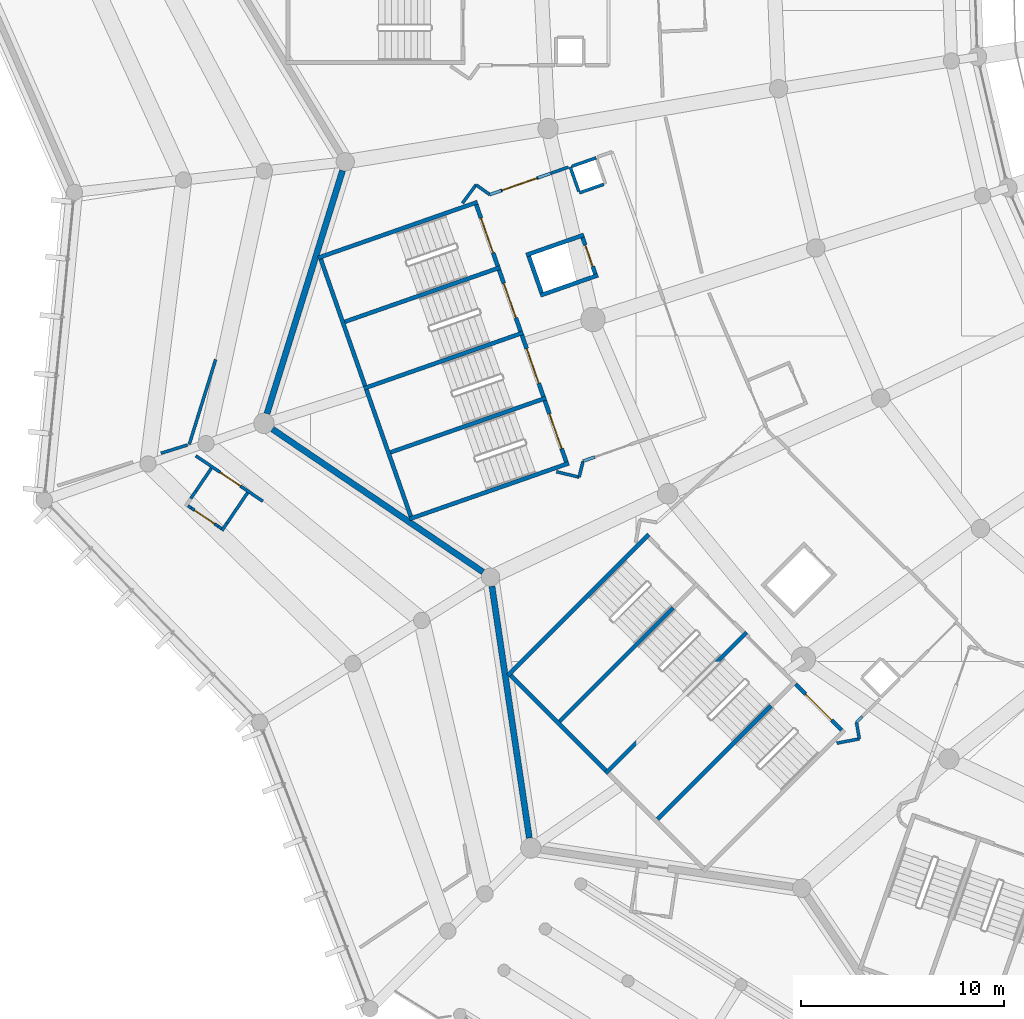
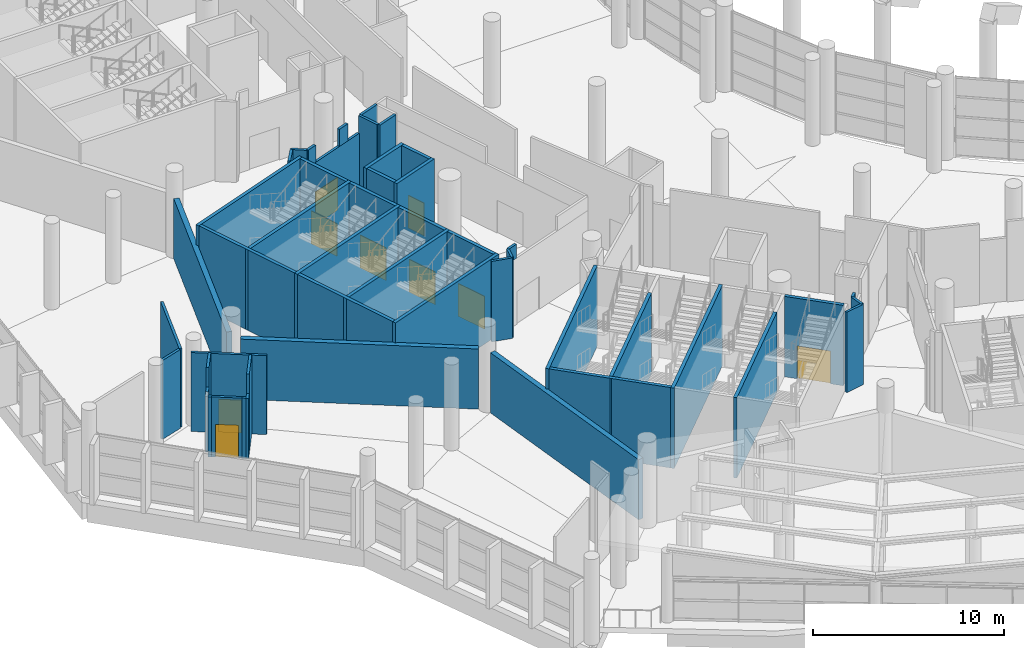
# One storey, part 159 of 271: 48 walls, 9 doors, 9 openings.
"""IFC4 building model written with IfcOpenShell, lengths in metres."""

from ifc_helpers import new_model, si_unit, direction, frame, frame_2d, origin, place, context, subcontext, project, spatial, rectangle, extrude, material, layer, layer_set, type_object, element, fill, save


model = new_model("IFC4")

# Units and contexts
model_context = context("Model", 3, precision=1e-05, world=origin(), true_north=direction((0.0, 1.0)))
body_context = subcontext(model_context, "Body", "Model", "MODEL_VIEW")
ifc_project = project(units=[si_unit("LENGTHUNIT", "METRE"), si_unit("AREAUNIT", "SQUARE_METRE"), si_unit("VOLUMEUNIT", "CUBIC_METRE"), si_unit("PLANEANGLEUNIT", "RADIAN"), si_unit("MASSUNIT", "GRAM", prefix="KILO")], contexts=[model_context])

# Site, building, storey
site_placement = place(None, origin())
site = spatial("IfcSite", under=ifc_project, at=site_placement, CompositionType="ELEMENT")
building_placement = place(site_placement, origin())
building = spatial("IfcBuilding", under=site, at=building_placement, Name="Meseta Stadium", CompositionType="ELEMENT")
storey_placement = place(building_placement, frame((0.0, 0.0, 6.5)))
storey = spatial("IfcBuildingStorey", under=building, at=storey_placement, Name="L01", CompositionType="ELEMENT", Elevation=6.5)

# Walls
ifc_material_1 = material(Name="Concrete C40/50", Category="concrete")
ifc_layer_1 = layer(ifc_material_1, 0.199951171875)
ifc_layer_set_1 = layer_set([ifc_layer_1], Name="Core divider wall 200")
wall_type_1 = type_object("IfcWallType", Name="Core divider wall 200", PredefinedType="SHEAR", material=ifc_layer_set_1)
for number, where, z_axis, x_axis, name in (
    (1, (-94.505859375, -63.370849609375, 0.0), (0.0, 0.0, 1.0), (0.943878073457, 0.330294084791, 0.0), "Core 20 L01 stair A divider wall"),
    (2, (-92.260009765625, -69.789306640625, 0.0), (0.0, 0.0, 1.0), (0.943878073457, 0.330294084791, 0.0), "Core 20 L01 stair B divider wall"),
):
    element("IfcWall", number, at=place(storey_placement, frame(where, z_axis=z_axis, x_axis=x_axis)), inside=storey, type_object=wall_type_1, Name=name, PredefinedType="SHEAR", context=body_context, shape_type="SweptSolid", body=[
        extrude(rectangle(XDim=8.300048828125, YDim=0.199951171875, at=frame_2d((4.14990234375, 0.0))), origin(), (0.0, 0.0, 1.0), 5.14990234375),
    ])
for number, where, z_axis, x_axis, name in (
    (3, (-83.90087890625, -83.092529296875, 0.0), (0.0, 0.0, 1.0), (0.707106781187, 0.707106781187, 0.0), "Core 21 L01 stair A divider wall"),
    (4, (-79.092529296875, -87.90087890625, 0.0), (0.0, 0.0, 1.0), (0.707106781187, 0.707106781187, 0.0), "Core 21 L01 stair B divider wall"),
):
    element("IfcWall", number, at=place(storey_placement, frame(where, z_axis=z_axis, x_axis=x_axis)), inside=storey, type_object=wall_type_1, Name=name, PredefinedType="SHEAR", context=body_context, shape_type="SweptSolid", body=[
        extrude(rectangle(XDim=8.099853515625, YDim=0.199951171875, at=frame_2d((4.0498046875, 0.0))), origin(), (0.0, 0.0, 1.0), 5.14990234375),
    ])
ifc_material_2 = material(Name="Concrete C40/50", Category="concrete")
ifc_layer_2 = layer(ifc_material_2, 0.199951171875)
ifc_layer_set_2 = layer_set([ifc_layer_2], Name="Core shaft wall 200")
wall_type_2 = type_object("IfcWallType", Name="Core shaft wall 200", PredefinedType="SHEAR", material=ifc_layer_set_2)
for number, where, z_axis, x_axis, name in (
    (5, (-95.62890625, -60.16162109375, 0.0), (0.0, 0.0, 1.0), (0.943887243331, 0.330267878966, 0.0), "Core 20 L01 stair wall A-side"),
    (6, (-93.3828125, -66.580078125, 0.0), (0.0, 0.0, 1.0), (0.943878073457, 0.330294084791, 0.0), "Core 20 L01 stair wall shared"),
    (7, (-91.136962890625, -72.998291015625, 0.0), (0.0, 0.0, 1.0), (0.943887243331, 0.330267878966, 0.0), "Core 20 L01 stair wall B-side"),
):
    element("IfcWall", number, at=place(storey_placement, frame(where, z_axis=z_axis, x_axis=x_axis)), inside=storey, type_object=wall_type_2, Name=name, PredefinedType="SHEAR", context=body_context, shape_type="SweptSolid", body=[
        extrude(rectangle(XDim=8.300048828125, YDim=0.199951171875, at=frame_2d((4.14990234375, 0.0))), origin(), (0.0, 0.0, 1.0), 5.14990234375),
    ])
for number, where, z_axis, x_axis, name in (
    (8, (-95.50146484375, -60.222900390625, 0.0), (0.0, 0.0, 1.0), (0.330286164688, -0.943880844925, 0.0), "Core 20 L01 stair A outer end wall"),
    (9, (-93.255615234375, -66.641357421875, 0.0), (0.0, 0.0, 1.0), (0.330286164688, -0.943880844925, 0.0), "Core 20 L01 stair B outer end wall"),
):
    element("IfcWall", number, at=place(storey_placement, frame(where, z_axis=z_axis, x_axis=x_axis)), inside=storey, type_object=wall_type_2, Name=name, PredefinedType="SHEAR", context=body_context, shape_type="SweptSolid", body=[
        extrude(rectangle(XDim=6.60009765625, YDim=0.199951171875, at=frame_2d((3.300048828125, 0.0))), origin(), (0.0, 0.0, 1.0), 5.14990234375),
    ])

# Wall, opening, door
wall_1_placement = place(storey_placement, frame((-87.85595703125, -57.547607421875, 0.0), z_axis=(0.0, 0.0, 1.0), x_axis=(0.330268863922, -0.943886898693, 0.0)))
wall_1 = element("IfcWall", 10, at=wall_1_placement, inside=storey, type_object=wall_type_2, Name="Core 20 L01 stair A1 inner end wall", PredefinedType="SHEAR", context=body_context, shape_type="SweptSolid", body=[
    extrude(rectangle(XDim=3.2001953125, YDim=0.199951171875, at=frame_2d((1.60009765625, 0.0))), origin(), (0.0, 0.0, 1.0), 5.14990234375),
])
opening_1_placement = place(wall_1_placement, frame((0.699951171875, 0.0, 0.0)))
opening_1 = element("IfcOpeningElement", 11, at=opening_1_placement, cuts=wall_1, Name="Opening D277", PredefinedType="OPENING", context=body_context, shape_type="SweptSolid", body=[
    extrude(rectangle(XDim=1.800048828125, YDim=2.10009765625, at=frame_2d((0.89990234375, 1.050048828125))), frame((0.0, 0.10986328125, 0.0), z_axis=(0.0, -1.0, 0.0), x_axis=(1.0, 0.0, 0.0)), (0.0, 0.0, 1.0), 0.219970703125),
])
ifc_material_3 = material(Name="Steel", Category="steel")
door_type_1 = type_object("IfcDoorType", Name="Stair door 1800x2100", OperationType="DOUBLE_DOOR_SINGLE_SWING", PredefinedType="DOOR", material=ifc_material_3)
door_1_placement = place(opening_1_placement, origin())
door_1 = element("IfcDoor", 12, at=door_1_placement, inside=storey, type_object=door_type_1, Name="Stair A1 door 20 L01", OperationType="DOUBLE_DOOR_SINGLE_SWING", OverallHeight=2.10009765625, OverallWidth=1.800048828125, PredefinedType="DOOR", context=body_context, shape_type="SweptSolid", body=[
    extrude(rectangle(XDim=1.800048828125, YDim=2.10009765625, at=frame_2d((0.89990234375, 1.050048828125))), frame((0.0, 0.02490234375, 0.0), z_axis=(0.0, -1.0, 0.0), x_axis=(1.0, 0.0, 0.0)), (0.0, 0.0, 1.0), 0.050048828125),
])
fill(opening_1, door_1)

wall_2_placement = place(storey_placement, frame((-86.73291015625, -60.7568359375, 0.0), z_axis=(0.0, 0.0, 1.0), x_axis=(0.330268863922, -0.943886898693, 0.0)))
wall_2 = element("IfcWall", 13, at=wall_2_placement, inside=storey, type_object=wall_type_2, Name="Core 20 L01 stair A2 inner end wall", PredefinedType="SHEAR", context=body_context, shape_type="SweptSolid", body=[
    extrude(rectangle(XDim=3.2001953125, YDim=0.199951171875, at=frame_2d((1.60009765625, 0.0))), origin(), (0.0, 0.0, 1.0), 5.14990234375),
])
opening_2_placement = place(wall_2_placement, frame((0.699951171875, 0.0, 0.0)))
opening_2 = element("IfcOpeningElement", 14, at=opening_2_placement, cuts=wall_2, Name="Opening D278", PredefinedType="OPENING", context=body_context, shape_type="SweptSolid", body=[
    extrude(rectangle(XDim=1.800048828125, YDim=2.10009765625, at=frame_2d((0.89990234375, 1.050048828125))), frame((0.0, 0.10986328125, 0.0), z_axis=(0.0, -1.0, 0.0), x_axis=(1.0, 0.0, 0.0)), (0.0, 0.0, 1.0), 0.219970703125),
])
door_2_placement = place(opening_2_placement, origin())
door_2 = element("IfcDoor", 15, at=door_2_placement, inside=storey, type_object=door_type_1, Name="Stair A2 door 20 L01", OperationType="DOUBLE_DOOR_SINGLE_SWING", OverallHeight=2.10009765625, OverallWidth=1.800048828125, PredefinedType="DOOR", context=body_context, shape_type="SweptSolid", body=[
    extrude(rectangle(XDim=1.800048828125, YDim=2.10009765625, at=frame_2d((0.89990234375, 1.050048828125))), frame((0.0, 0.02490234375, 0.0), z_axis=(0.0, -1.0, 0.0), x_axis=(1.0, 0.0, 0.0)), (0.0, 0.0, 1.0), 0.050048828125),
])
fill(opening_2, door_2)

wall_3_placement = place(storey_placement, frame((-85.610107421875, -63.966064453125, 0.0), z_axis=(0.0, 0.0, 1.0), x_axis=(0.330268863922, -0.943886898693, 0.0)))
wall_3 = element("IfcWall", 16, at=wall_3_placement, inside=storey, type_object=wall_type_2, Name="Core 20 L01 stair B1 inner end wall", PredefinedType="SHEAR", context=body_context, shape_type="SweptSolid", body=[
    extrude(rectangle(XDim=3.2001953125, YDim=0.199951171875, at=frame_2d((1.60009765625, 0.0))), origin(), (0.0, 0.0, 1.0), 5.14990234375),
])
opening_3_placement = place(wall_3_placement, frame((0.699951171875, 0.0, 0.0)))
opening_3 = element("IfcOpeningElement", 17, at=opening_3_placement, cuts=wall_3, Name="Opening D279", PredefinedType="OPENING", context=body_context, shape_type="SweptSolid", body=[
    extrude(rectangle(XDim=1.800048828125, YDim=2.10009765625, at=frame_2d((0.89990234375, 1.050048828125))), frame((0.0, 0.10986328125, 0.0), z_axis=(0.0, -1.0, 0.0), x_axis=(1.0, 0.0, 0.0)), (0.0, 0.0, 1.0), 0.219970703125),
])
door_3_placement = place(opening_3_placement, origin())
door_3 = element("IfcDoor", 18, at=door_3_placement, inside=storey, type_object=door_type_1, Name="Stair B1 door 20 L01", OperationType="DOUBLE_DOOR_SINGLE_SWING", OverallHeight=2.10009765625, OverallWidth=1.800048828125, PredefinedType="DOOR", context=body_context, shape_type="SweptSolid", body=[
    extrude(rectangle(XDim=1.800048828125, YDim=2.10009765625, at=frame_2d((0.89990234375, 1.050048828125))), frame((0.0, 0.02490234375, 0.0), z_axis=(0.0, -1.0, 0.0), x_axis=(1.0, 0.0, 0.0)), (0.0, 0.0, 1.0), 0.050048828125),
])
fill(opening_3, door_3)

wall_4_placement = place(storey_placement, frame((-84.487060546875, -67.17529296875, 0.0), z_axis=(0.0, 0.0, 1.0), x_axis=(0.330268863922, -0.943886898693, 0.0)))
wall_4 = element("IfcWall", 19, at=wall_4_placement, inside=storey, type_object=wall_type_2, Name="Core 20 L01 stair B2 inner end wall", PredefinedType="SHEAR", context=body_context, shape_type="SweptSolid", body=[
    extrude(rectangle(XDim=3.2001953125, YDim=0.199951171875, at=frame_2d((1.60009765625, 0.0))), origin(), (0.0, 0.0, 1.0), 5.14990234375),
])
opening_4_placement = place(wall_4_placement, frame((0.699951171875, 0.0, 0.0)))
opening_4 = element("IfcOpeningElement", 20, at=opening_4_placement, cuts=wall_4, Name="Opening D280", PredefinedType="OPENING", context=body_context, shape_type="SweptSolid", body=[
    extrude(rectangle(XDim=1.800048828125, YDim=2.10009765625, at=frame_2d((0.89990234375, 1.050048828125))), frame((0.0, 0.10986328125, 0.0), z_axis=(0.0, -1.0, 0.0), x_axis=(1.0, 0.0, 0.0)), (0.0, 0.0, 1.0), 0.219970703125),
])
door_4_placement = place(opening_4_placement, origin())
door_4 = element("IfcDoor", 21, at=door_4_placement, inside=storey, type_object=door_type_1, Name="Stair B2 door 20 L01", OperationType="DOUBLE_DOOR_SINGLE_SWING", OverallHeight=2.10009765625, OverallWidth=1.800048828125, PredefinedType="DOOR", context=body_context, shape_type="SweptSolid", body=[
    extrude(rectangle(XDim=1.800048828125, YDim=2.10009765625, at=frame_2d((0.89990234375, 1.050048828125))), frame((0.0, 0.02490234375, 0.0), z_axis=(0.0, -1.0, 0.0), x_axis=(1.0, 0.0, 0.0)), (0.0, 0.0, 1.0), 0.050048828125),
])
fill(opening_4, door_4)

# Walls
wall_5_placement = place(storey_placement, frame((-85.39990234375, -60.025390625, 0.0), z_axis=(0.0, 0.0, 1.0), x_axis=(0.943900215722, 0.330230802259, 0.0)))
element("IfcWall", 22, at=wall_5_placement, inside=storey, type_object=wall_type_2, Name="Core 20 L01 lift shaft wall left", PredefinedType="SHEAR", context=body_context, shape_type="SweptSolid", body=[
    extrude(rectangle(XDim=3.0, YDim=0.199951171875, at=frame_2d((1.5, 0.0))), origin(), (0.0, 0.0, 1.0), 5.14990234375),
])
wall_6_placement = place(storey_placement, frame((-84.706298828125, -62.0078125, 0.0), z_axis=(0.0, 0.0, 1.0), x_axis=(0.943874847782, 0.330303302625, 0.0)))
element("IfcWall", 23, at=wall_6_placement, inside=storey, type_object=wall_type_2, Name="Core 20 L01 lift shaft wall right", PredefinedType="SHEAR", context=body_context, shape_type="SweptSolid", body=[
    extrude(rectangle(XDim=3.000244140625, YDim=0.199951171875, at=frame_2d((1.5, 0.0))), origin(), (0.0, 0.0, 1.0), 5.14990234375),
])
wall_7_placement = place(storey_placement, frame((-85.272216796875, -60.0869140625, 0.0), z_axis=(0.0, 0.0, 1.0), x_axis=(0.330224505327, -0.943902418729, 0.0)))
element("IfcWall", 24, at=wall_7_placement, inside=storey, type_object=wall_type_2, Name="Core 20 L01 lift shaft back wall", PredefinedType="SHEAR", context=body_context, shape_type="SweptSolid", body=[
    extrude(rectangle(XDim=1.900146484375, YDim=0.199951171875, at=frame_2d((0.9501953125, 0.0))), origin(), (0.0, 0.0, 1.0), 5.14990234375),
])

# Wall, opening, door
wall_8_placement = place(storey_placement, frame((-82.62939453125, -59.162109375, 0.0), z_axis=(0.0, 0.0, 1.0), x_axis=(0.330224505327, -0.943902418729, 0.0)))
wall_8 = element("IfcWall", 25, at=wall_8_placement, inside=storey, type_object=wall_type_2, Name="Core 20 L01 lift shaft front wall", PredefinedType="SHEAR", context=body_context, shape_type="SweptSolid", body=[
    extrude(rectangle(XDim=1.900146484375, YDim=0.199951171875, at=frame_2d((0.9501953125, 0.0))), origin(), (0.0, 0.0, 1.0), 5.14990234375),
])
opening_5_placement = place(wall_8_placement, frame((0.39990234375, 0.0, 0.0)))
opening_5 = element("IfcOpeningElement", 26, at=opening_5_placement, cuts=wall_8, Name="Opening LD111", PredefinedType="OPENING", context=body_context, shape_type="SweptSolid", body=[
    extrude(rectangle(XDim=1.10009765625, YDim=2.10009765625, at=frame_2d((0.550048828125, 1.050048828125))), frame((0.0, 0.10986328125, 0.0), z_axis=(0.0, -1.0, 0.0), x_axis=(1.0, 0.0, 0.0)), (0.0, 0.0, 1.0), 0.219970703125),
])
ifc_material_4 = material(Name="Steel", Category="steel")
door_type_2 = type_object("IfcDoorType", Name="Lift landing door 1100x2100", OperationType="SLIDING_TO_LEFT", PredefinedType="DOOR", material=ifc_material_4)
door_5_placement = place(opening_5_placement, origin())
door_5 = element("IfcDoor", 27, at=door_5_placement, inside=storey, type_object=door_type_2, Name="Lift landing door LD111", OperationType="SLIDING_TO_LEFT", OverallHeight=2.10009765625, OverallWidth=1.10009765625, PredefinedType="DOOR", context=body_context, shape_type="SweptSolid", body=[
    extrude(rectangle(XDim=1.10009765625, YDim=2.10009765625, at=frame_2d((0.550048828125, 1.050048828125))), frame((0.0, 0.02490234375, 0.0), z_axis=(0.0, -1.0, 0.0), x_axis=(1.0, 0.0, 0.0)), (0.0, 0.0, 1.0), 0.050048828125),
])
fill(opening_5, door_5)

# Walls
for number, where, z_axis, x_axis, name in (
    (28, (-86.30517578125, -80.6884765625, 0.0), (0.0, 0.0, 1.0), (0.707106781187, 0.707106781187, 0.0), "Core 21 L01 stair wall A-side"),
    (29, (-81.496826171875, -85.496826171875, 0.0), (0.0, 0.0, 1.0), (0.707106781187, 0.707106781187, 0.0), "Core 21 L01 stair wall shared"),
):
    element("IfcWall", number, at=place(storey_placement, frame(where, z_axis=z_axis, x_axis=x_axis)), inside=storey, type_object=wall_type_2, Name=name, PredefinedType="SHEAR", context=body_context, shape_type="SweptSolid", body=[
        extrude(rectangle(XDim=9.800048828125, YDim=0.199951171875, at=frame_2d((4.89990234375, 0.0))), origin(), (0.0, 0.0, 1.0), 5.14990234375),
    ])
wall_9_placement = place(storey_placement, frame((-86.163818359375, -80.6884765625, 0.0), z_axis=(0.0, 0.0, 1.0), x_axis=(0.707125276584, -0.707088285305, 0.0)))
element("IfcWall", 30, at=wall_9_placement, inside=storey, type_object=wall_type_2, Name="Core 21 L01 stair A outer end wall", PredefinedType="SHEAR", context=body_context, shape_type="SweptSolid", body=[
    extrude(rectangle(XDim=6.599853515625, YDim=0.199951171875, at=frame_2d((3.2998046875, 0.0))), origin(), (0.0, 0.0, 1.0), 5.14990234375),
])

# Wall, opening, door
wall_10_placement = place(storey_placement, frame((-72.1630859375, -81.11279296875, 0.0), z_axis=(0.0, 0.0, 1.0), x_axis=(0.707144925854, -0.707068634461, 0.0)))
wall_10 = element("IfcWall", 31, at=wall_10_placement, inside=storey, type_object=wall_type_2, Name="Core 21 L01 stair B2 inner end wall", PredefinedType="SHEAR", context=body_context, shape_type="SweptSolid", body=[
    extrude(rectangle(XDim=3.2001953125, YDim=0.199951171875, at=frame_2d((1.60009765625, 0.0))), origin(), (0.0, 0.0, 1.0), 5.14990234375),
])
opening_6_placement = place(wall_10_placement, frame((0.699951171875, 0.0, 0.0)))
opening_6 = element("IfcOpeningElement", 32, at=opening_6_placement, cuts=wall_10, Name="Opening D292", PredefinedType="OPENING", context=body_context, shape_type="SweptSolid", body=[
    extrude(rectangle(XDim=1.800048828125, YDim=2.10009765625, at=frame_2d((0.89990234375, 1.050048828125))), frame((0.0, 0.10986328125, 0.0), z_axis=(0.0, -1.0, 0.0), x_axis=(1.0, 0.0, 0.0)), (0.0, 0.0, 1.0), 0.219970703125),
])
door_6_placement = place(opening_6_placement, origin())
door_6 = element("IfcDoor", 33, at=door_6_placement, inside=storey, type_object=door_type_1, Name="Stair B2 door 21 L01", OperationType="DOUBLE_DOOR_SINGLE_SWING", OverallHeight=2.10009765625, OverallWidth=1.800048828125, PredefinedType="DOOR", context=body_context, shape_type="SweptSolid", body=[
    extrude(rectangle(XDim=1.800048828125, YDim=2.10009765625, at=frame_2d((0.89990234375, 1.050048828125))), frame((0.0, 0.02490234375, 0.0), z_axis=(0.0, -1.0, 0.0), x_axis=(1.0, 0.0, 0.0)), (0.0, 0.0, 1.0), 0.050048828125),
])
fill(opening_6, door_6)

# Walls
ifc_material_5 = material(Name="Masonry blockwork", Category="masonry")
ifc_layer_3 = layer(ifc_material_5, 0.14990234375)
ifc_layer_set_3 = layer_set([ifc_layer_3], Name="Partition 150")
wall_type_3 = type_object("IfcWallType", Name="Partition 150", PredefinedType="PARTITIONING", material=ifc_layer_set_3)
wall_11_placement = place(storey_placement, frame((-100.6650390625, -65.154296875, 0.0), z_axis=(0.0, 0.0, 1.0), x_axis=(-0.296860778356, -0.954920770679, 0.0)))
element("IfcWall", 34, at=wall_11_placement, inside=storey, type_object=wall_type_3, Name="Partition L01 L01-ring18-0", PredefinedType="PARTITIONING", context=body_context, shape_type="SweptSolid", body=[
    extrude(rectangle(XDim=4.375244140625, YDim=0.14990234375, at=frame_2d((2.1875, 0.0))), origin(), (0.0, 0.0, 1.0), 5.050048828125),
])
wall_12_placement = place(storey_placement, frame((-102.05078125, -69.359619140625, 0.0), z_axis=(0.0, 0.0, 1.0), x_axis=(-0.954243765566, -0.299029824395, 0.0)))
element("IfcWall", 35, at=wall_12_placement, inside=storey, type_object=wall_type_3, Name="Partition L01 L01-ring18-0", PredefinedType="PARTITIONING", context=body_context, shape_type="SweptSolid", body=[
    extrude(rectangle(XDim=1.362548828125, YDim=0.14990234375, at=frame_2d((0.68115234375, 0.0))), origin(), (0.0, 0.0, 1.0), 5.050048828125),
])

# Wall, opening, door
wall_13_placement = place(storey_placement, frame((-101.639404296875, -69.892578125, 0.0), z_axis=(0.0, 0.0, 1.0), x_axis=(0.82747475675, -0.561502918017, 0.0)))
wall_13 = element("IfcWall", 36, at=wall_13_placement, inside=storey, type_object=wall_type_3, Name="Partition L01 L01-ring19-0", PredefinedType="PARTITIONING", context=body_context, shape_type="SweptSolid", body=[
    extrude(rectangle(XDim=3.98095703125, YDim=0.14990234375, at=frame_2d((1.990478515625, 0.0))), origin(), (0.0, 0.0, 1.0), 5.050048828125),
])
opening_7_placement = place(wall_13_placement, frame((1.449951171875, 0.0, 0.0)))
opening_7 = element("IfcOpeningElement", 37, at=opening_7_placement, cuts=wall_13, Name="Opening D698", PredefinedType="OPENING", context=body_context, shape_type="SweptSolid", body=[
    extrude(rectangle(XDim=1.199951171875, YDim=2.10009765625, at=frame_2d((0.60009765625, 1.050048828125))), frame((0.0, 0.0849609375, 0.0), z_axis=(0.0, -1.0, 0.0), x_axis=(1.0, 0.0, 0.0)), (0.0, 0.0, 1.0), 0.169921875),
])
ifc_material_6 = material(Name="Steel", Category="steel")
door_type_3 = type_object("IfcDoorType", Name="Fire door 1200x2100 EI2 60", OperationType="NOTDEFINED", PredefinedType="DOOR", material=ifc_material_6)
door_7_placement = place(opening_7_placement, origin())
door_7 = element("IfcDoor", 38, at=door_7_placement, inside=storey, type_object=door_type_3, Name="Door D698", OperationType="SINGLE_SWING_RIGHT", OverallHeight=2.10009765625, OverallWidth=1.199951171875, PredefinedType="DOOR", context=body_context, shape_type="SweptSolid", body=[
    extrude(rectangle(XDim=1.199951171875, YDim=2.10009765625, at=frame_2d((0.60009765625, 1.050048828125))), frame((0.0, 0.02490234375, 0.0), z_axis=(0.0, -1.0, 0.0), x_axis=(1.0, 0.0, 0.0)), (0.0, 0.0, 1.0), 0.050048828125),
])
fill(opening_7, door_7)

# Walls
for number, where, z_axis, x_axis, name in (
    (39, (-83.234619140625, -55.692138671875, 0.0), (0.0, 0.0, 1.0), (0.330324835387, -0.943867312246, 0.0), "Pressurisation shaft wall L01 core 20"),
    (40, (-82.78857421875, -56.96630859375, 0.0), (0.0, 0.0, 1.0), (0.943927004722, 0.330154221169, 0.0), "Pressurisation shaft wall L01 core 20"),
):
    element("IfcWall", number, at=place(storey_placement, frame(where, z_axis=z_axis, x_axis=x_axis)), inside=storey, type_object=wall_type_3, Name=name, PredefinedType="PARTITIONING", context=body_context, shape_type="SweptSolid", body=[
        extrude(rectangle(XDim=1.27490234375, YDim=0.14990234375, at=frame_2d((0.637451171875, 0.0))), origin(), (0.0, 0.0, 1.0), 5.14990234375),
    ])
wall_14_placement = place(storey_placement, frame((-81.960205078125, -55.246337890625, 0.0), z_axis=(0.0, 0.0, 1.0), x_axis=(-0.943888201207, -0.330265141396, 0.0)))
element("IfcWall", 41, at=wall_14_placement, inside=storey, type_object=wall_type_3, Name="Pressurisation shaft wall L01 core 20", PredefinedType="PARTITIONING", context=body_context, shape_type="SweptSolid", body=[
    extrude(rectangle(XDim=1.275146484375, YDim=0.14990234375, at=frame_2d((0.6376953125, 0.0))), origin(), (0.0, 0.0, 1.0), 5.14990234375),
])
wall_15_placement = place(storey_placement, frame((-83.91650390625, -70.674560546875, 0.0), z_axis=(0.0, 0.0, 1.0), x_axis=(0.972474155426, -0.233010765906, 0.0)))
element("IfcWall", 42, at=wall_15_placement, inside=storey, type_object=wall_type_3, Name="Stair vestibule wall L01 core 20", PredefinedType="PARTITIONING", context=body_context, shape_type="SweptSolid", body=[
    extrude(rectangle(XDim=1.147216796875, YDim=0.14990234375, at=frame_2d((0.57373046875, 0.0))), origin(), (0.0, 0.0, 1.0), 5.14990234375),
])
wall_16_placement = place(storey_placement, frame((-82.80078125, -70.94189453125, 0.0), z_axis=(0.0, 0.0, 1.0), x_axis=(0.240907648849, 0.970548043492, 0.0)))
element("IfcWall", 43, at=wall_16_placement, inside=storey, type_object=wall_type_3, Name="Stair vestibule wall L01 core 20", PredefinedType="PARTITIONING", context=body_context, shape_type="SweptSolid", body=[
    extrude(rectangle(XDim=0.811767578125, YDim=0.14990234375, at=frame_2d((0.40576171875, 0.0))), origin(), (0.0, 0.0, 1.0), 5.14990234375),
])
wall_17_placement = place(storey_placement, frame((-82.605224609375, -70.154052734375, 4.25), z_axis=(0.0, 0.0, 1.0), x_axis=(0.943387876343, 0.331691595867, 0.0)))
element("IfcWall", 44, at=wall_17_placement, inside=storey, type_object=wall_type_3, Name="Stair vestibule wall L01 core 20", PredefinedType="PARTITIONING", context=body_context, shape_type="SweptSolid", body=[
    extrude(rectangle(XDim=0.599853515625, YDim=0.14990234375, at=frame_2d((0.2998046875, 0.0))), origin(), (0.0, 0.0, 1.0), 0.89990234375),
])

# Wall, opening, door
wall_18_placement = place(storey_placement, frame((-83.3212890625, -55.701416015625, 0.0), z_axis=(0.0, 0.0, 1.0), x_axis=(-0.943873211719, -0.330307977801, 0.0)))
wall_18 = element("IfcWall", 45, at=wall_18_placement, inside=storey, type_object=wall_type_3, Name="Stair vestibule wall L01 core 20", PredefinedType="PARTITIONING", context=body_context, shape_type="SweptSolid", body=[
    extrude(rectangle(XDim=4.09912109375, YDim=0.14990234375, at=frame_2d((2.049560546875, 0.0))), origin(), (0.0, 0.0, 1.0), 4.050048828125),
])
opening_8_placement = place(wall_18_placement, frame((1.64990234375, 0.0, 0.0)))
opening_8 = element("IfcOpeningElement", 46, at=opening_8_placement, cuts=wall_18, Name="Opening D795", PredefinedType="OPENING", context=body_context, shape_type="SweptSolid", body=[
    extrude(rectangle(XDim=1.800048828125, YDim=2.10009765625, at=frame_2d((0.89990234375, 1.050048828125))), frame((0.0, 0.0849609375, 0.0), z_axis=(0.0, -1.0, 0.0), x_axis=(1.0, 0.0, 0.0)), (0.0, 0.0, 1.0), 0.169921875),
])
ifc_material_7 = material(Name="Steel", Category="steel")
door_type_4 = type_object("IfcDoorType", Name="Fire double door 1800x2100 EI2 60", OperationType="DOUBLE_DOOR_SINGLE_SWING", PredefinedType="DOOR", material=ifc_material_7)
door_8_placement = place(opening_8_placement, origin())
door_8 = element("IfcDoor", 47, at=door_8_placement, inside=storey, type_object=door_type_4, Name="Stair vestibule door L01 core 20", OperationType="DOUBLE_DOOR_SINGLE_SWING", OverallHeight=2.10009765625, OverallWidth=1.800048828125, PredefinedType="DOOR", context=body_context, shape_type="SweptSolid", body=[
    extrude(rectangle(XDim=1.800048828125, YDim=2.10009765625, at=frame_2d((0.89990234375, 1.050048828125))), frame((0.0, 0.02490234375, 0.0), z_axis=(0.0, -1.0, 0.0), x_axis=(1.0, 0.0, 0.0)), (0.0, 0.0, 1.0), 0.050048828125),
])
fill(opening_8, door_8)

# Walls
wall_19_placement = place(storey_placement, frame((-86.625, -56.857421875, 4.050048828125), z_axis=(0.0, 0.0, 1.0), x_axis=(-0.943807519121, -0.330495638172, 0.0)))
element("IfcWall", 48, at=wall_19_placement, inside=storey, type_object=wall_type_3, Name="Stair vestibule wall L01 core 20", PredefinedType="PARTITIONING", context=body_context, shape_type="SweptSolid", body=[
    extrude(rectangle(XDim=0.59912109375, YDim=0.14990234375, at=frame_2d((0.299560546875, 0.0))), origin(), (0.0, 0.0, 1.0), 1.099853515625),
])
wall_20_placement = place(storey_placement, frame((-87.1904296875, -57.055419921875, 0.0), z_axis=(0.0, 0.0, 1.0), x_axis=(-0.813315890962, 0.581822362504, 0.0)))
element("IfcWall", 49, at=wall_20_placement, inside=storey, type_object=wall_type_3, Name="Stair vestibule wall L01 core 20", PredefinedType="PARTITIONING", context=body_context, shape_type="SweptSolid", body=[
    extrude(rectangle(XDim=0.830078125, YDim=0.14990234375, at=frame_2d((0.4150390625, 0.0))), origin(), (0.0, 0.0, 1.0), 5.14990234375),
])
wall_21_placement = place(storey_placement, frame((-87.865478515625, -56.572509765625, 0.0), z_axis=(0.0, 0.0, 1.0), x_axis=(-0.595036002288, -0.803699045651, 0.0)))
element("IfcWall", 50, at=wall_21_placement, inside=storey, type_object=wall_type_3, Name="Stair vestibule wall L01 core 20", PredefinedType="PARTITIONING", context=body_context, shape_type="SweptSolid", body=[
    extrude(rectangle(XDim=1.1279296875, YDim=0.14990234375, at=frame_2d((0.56396484375, 0.0))), origin(), (0.0, 0.0, 1.0), 5.14990234375),
])
wall_22_placement = place(storey_placement, frame((-70.133544921875, -84.018310546875, 0.0), z_axis=(0.0, 0.0, 1.0), x_axis=(0.982266484486, 0.187490142289, 0.0)))
element("IfcWall", 51, at=wall_22_placement, inside=storey, type_object=wall_type_3, Name="Stair vestibule wall L01 core 21", PredefinedType="PARTITIONING", context=body_context, shape_type="SweptSolid", body=[
    extrude(rectangle(XDim=1.127685546875, YDim=0.14990234375, at=frame_2d((0.56396484375, 0.0))), origin(), (0.0, 0.0, 1.0), 5.14990234375),
])
wall_23_placement = place(storey_placement, frame((-69.02587890625, -83.806884765625, 0.0), z_axis=(0.0, 0.0, 1.0), x_axis=(-0.171316329805, 0.985216075357, 0.0)))
element("IfcWall", 52, at=wall_23_placement, inside=storey, type_object=wall_type_3, Name="Stair vestibule wall L01 core 21", PredefinedType="PARTITIONING", context=body_context, shape_type="SweptSolid", body=[
    extrude(rectangle(XDim=0.829345703125, YDim=0.14990234375, at=frame_2d((0.41455078125, 0.0))), origin(), (0.0, 0.0, 1.0), 5.14990234375),
])
wall_24_placement = place(storey_placement, frame((-69.16796875, -82.98974609375, 4.25), z_axis=(0.0, 0.0, 1.0), x_axis=(0.706809490168, 0.707403947267, 0.0)))
element("IfcWall", 53, at=wall_24_placement, inside=storey, type_object=wall_type_3, Name="Stair vestibule wall L01 core 21", PredefinedType="PARTITIONING", context=body_context, shape_type="SweptSolid", body=[
    extrude(rectangle(XDim=0.41064453125, YDim=0.14990234375, at=frame_2d((0.205322265625, 0.0))), origin(), (0.0, 0.0, 1.0), 0.89990234375),
])
wall_25_placement = place(storey_placement, frame((-100.874755859375, -70.502197265625, 0.0), z_axis=(0.0, 0.0, 1.0), x_axis=(-0.561567757892, -0.827430754382, 0.0)))
element("IfcWall", 54, at=wall_25_placement, inside=storey, type_object=wall_type_3, Name="Partition L01 L01-ring19-0 vestibule", PredefinedType="PARTITIONING", context=body_context, shape_type="SweptSolid", body=[
    extrude(rectangle(XDim=1.349853515625, YDim=0.14990234375, at=frame_2d((0.6748046875, 0.0))), origin(), (0.0, 0.0, 1.0), 5.10009765625),
])
wall_26_placement = place(storey_placement, frame((-101.6328125, -71.619140625, 0.0), z_axis=(0.0, 0.0, 1.0), x_axis=(-0.561315731762, -0.827601745574, 0.0)))
element("IfcWall", 55, at=wall_26_placement, inside=storey, type_object=wall_type_3, Name="Partition L01 L01-ring19-0 vestibule", PredefinedType="PARTITIONING", context=body_context, shape_type="SweptSolid", body=[
    extrude(rectangle(XDim=0.4501953125, YDim=0.14990234375, at=frame_2d((0.22509765625, 0.0))), origin(), (0.0, 0.0, 1.0), 3.85009765625),
])
wall_27_placement = place(storey_placement, frame((-99.095703125, -71.709228515625, 0.0), z_axis=(0.0, 0.0, 1.0), x_axis=(-0.561504735028, -0.82747352377, 0.0)))
element("IfcWall", 56, at=wall_27_placement, inside=storey, type_object=wall_type_3, Name="Partition L01 L01-ring19-0 vestibule", PredefinedType="PARTITIONING", context=body_context, shape_type="SweptSolid", body=[
    extrude(rectangle(XDim=1.800048828125, YDim=0.14990234375, at=frame_2d((0.89990234375, 0.0))), origin(), (0.0, 0.0, 1.0), 5.10009765625),
])
wall_28_placement = place(storey_placement, frame((-100.1064453125, -73.19873046875, 0.0), z_axis=(0.0, 0.0, 1.0), x_axis=(-0.561315731762, -0.827601745574, 0.0)))
element("IfcWall", 57, at=wall_28_placement, inside=storey, type_object=wall_type_3, Name="Partition L01 L01-ring19-0 vestibule", PredefinedType="PARTITIONING", context=body_context, shape_type="SweptSolid", body=[
    extrude(rectangle(XDim=0.4501953125, YDim=0.14990234375, at=frame_2d((0.22509765625, 0.0))), origin(), (0.0, 0.0, 1.0), 3.85009765625),
])
wall_29_placement = place(storey_placement, frame((-102.033935546875, -72.343994140625, 0.0), z_axis=(0.0, 0.0, 1.0), x_axis=(0.827516278761, -0.561441723053, 0.0)))
element("IfcWall", 58, at=wall_29_placement, inside=storey, type_object=wall_type_3, Name="Partition L01 L01-ring19-0 vestibule", PredefinedType="PARTITIONING", context=body_context, shape_type="SweptSolid", body=[
    extrude(rectangle(XDim=0.199951171875, YDim=0.14990234375, at=frame_2d((0.10009765625, 0.0))), origin(), (0.0, 0.0, 1.0), 3.85009765625),
])

# Wall, opening, door
wall_30_placement = place(storey_placement, frame((-101.868408203125, -72.456298828125, 0.0), z_axis=(0.0, 0.0, 1.0), x_axis=(0.827468178384, -0.561512612291, 0.0)))
wall_30 = element("IfcWall", 59, at=wall_30_placement, inside=storey, type_object=wall_type_3, Name="Partition L01 L01-ring19-0 vestibule", PredefinedType="PARTITIONING", context=body_context, shape_type="SweptSolid", body=[
    extrude(rectangle(XDim=1.60009765625, YDim=0.14990234375, at=frame_2d((0.800048828125, 0.0))), origin(), (0.0, 0.0, 1.0), 3.85009765625),
])
opening_9_placement = place(wall_30_placement, frame((0.199951171875, 0.0, 0.0)))
opening_9 = element("IfcOpeningElement", 60, at=opening_9_placement, cuts=wall_30, Name="Opening D926", PredefinedType="OPENING", context=body_context, shape_type="SweptSolid", body=[
    extrude(rectangle(XDim=1.199951171875, YDim=2.10009765625, at=frame_2d((0.60009765625, 1.050048828125))), frame((0.0, 0.0849609375, 0.0), z_axis=(0.0, -1.0, 0.0), x_axis=(1.0, 0.0, 0.0)), (0.0, 0.0, 1.0), 0.169921875),
])
door_9_placement = place(opening_9_placement, origin())
door_9 = element("IfcDoor", 61, at=door_9_placement, inside=storey, type_object=door_type_3, Name="Vestibule door L01 L01-ring19-0", OperationType="SINGLE_SWING_RIGHT", OverallHeight=2.10009765625, OverallWidth=1.199951171875, PredefinedType="DOOR", context=body_context, shape_type="SweptSolid", body=[
    extrude(rectangle(XDim=1.199951171875, YDim=2.10009765625, at=frame_2d((0.60009765625, 1.050048828125))), frame((0.0, 0.02490234375, 0.0), z_axis=(0.0, -1.0, 0.0), x_axis=(1.0, 0.0, 0.0)), (0.0, 0.0, 1.0), 0.050048828125),
])
fill(opening_9, door_9)

# Walls
wall_31_placement = place(storey_placement, frame((-100.54443359375, -73.354736328125, 0.0), z_axis=(0.0, 0.0, 1.0), x_axis=(0.827516278761, -0.561441723053, 0.0)))
element("IfcWall", 62, at=wall_31_placement, inside=storey, type_object=wall_type_3, Name="Partition L01 L01-ring19-0 vestibule", PredefinedType="PARTITIONING", context=body_context, shape_type="SweptSolid", body=[
    extrude(rectangle(XDim=0.199951171875, YDim=0.14990234375, at=frame_2d((0.10009765625, 0.0))), origin(), (0.0, 0.0, 1.0), 3.85009765625),
])
wall_32_placement = place(storey_placement, frame((-84.18115234375, -56.002197265625, 4.050048828125), z_axis=(0.0, 0.0, 1.0), x_axis=(-0.943792058507, -0.330539786257, 0.0)))
element("IfcWall", 63, at=wall_32_placement, inside=storey, type_object=wall_type_3, Name="Stair vestibule wall L01 core 20", PredefinedType="PARTITIONING", context=body_context, shape_type="SweptSolid", body=[
    extrude(rectangle(XDim=0.689208984375, YDim=0.14990234375, at=frame_2d((0.3447265625, 0.0))), origin(), (0.0, 0.0, 1.0), 1.099853515625),
])
ifc_material_8 = material(Name="White precast concrete C40/50", Category="concrete")
ifc_layer_4 = layer(ifc_material_8, 0.300048828125)
ifc_layer_set_4 = layer_set([ifc_layer_4], Name="Pleated panel wall 300 concourse")
wall_type_4 = type_object("IfcWallType", Name="Pleated panel wall 300 concourse", PredefinedType="SOLIDWALL", material=ifc_layer_set_4)
for number, where, z_axis, x_axis, name in (
    (64, (-98.142822265625, -67.820068359375, 0.0), (0.0, 0.0, 1.0), (0.29687600697, 0.954916036354, 0.0), "Pleated facade panel L01 F37"),
    (65, (-87.52294921875, -75.604248046875, 0.0), (0.0, 0.0, 1.0), (-0.827480954447, 0.561493784496, 0.0), "Pleated facade panel L01 F38"),
):
    element("IfcWall", number, at=place(storey_placement, frame(where, z_axis=z_axis, x_axis=x_axis)), inside=storey, type_object=wall_type_4, Name=name, PredefinedType="SOLIDWALL", context=body_context, shape_type="SweptSolid", body=[
        extrude(rectangle(XDim=12.51318359375, YDim=0.300048828125, at=frame_2d((6.256591796875, 0.0))), origin(), (0.0, 0.0, 1.0), 3.85009765625),
    ])
wall_33_placement = place(storey_placement, frame((-85.2470703125, -88.6796875, 0.0), z_axis=(0.0, 0.0, 1.0), x_axis=(-0.14684632149, 0.989159318747, 0.0)))
element("IfcWall", 66, at=wall_33_placement, inside=storey, type_object=wall_type_4, Name="Pleated facade panel L01 F39", PredefinedType="SOLIDWALL", context=body_context, shape_type="SweptSolid", body=[
    extrude(rectangle(XDim=12.51416015625, YDim=0.300048828125, at=frame_2d((6.257080078125, 0.0))), origin(), (0.0, 0.0, 1.0), 3.85009765625),
])

save(model, "model.ifc")
